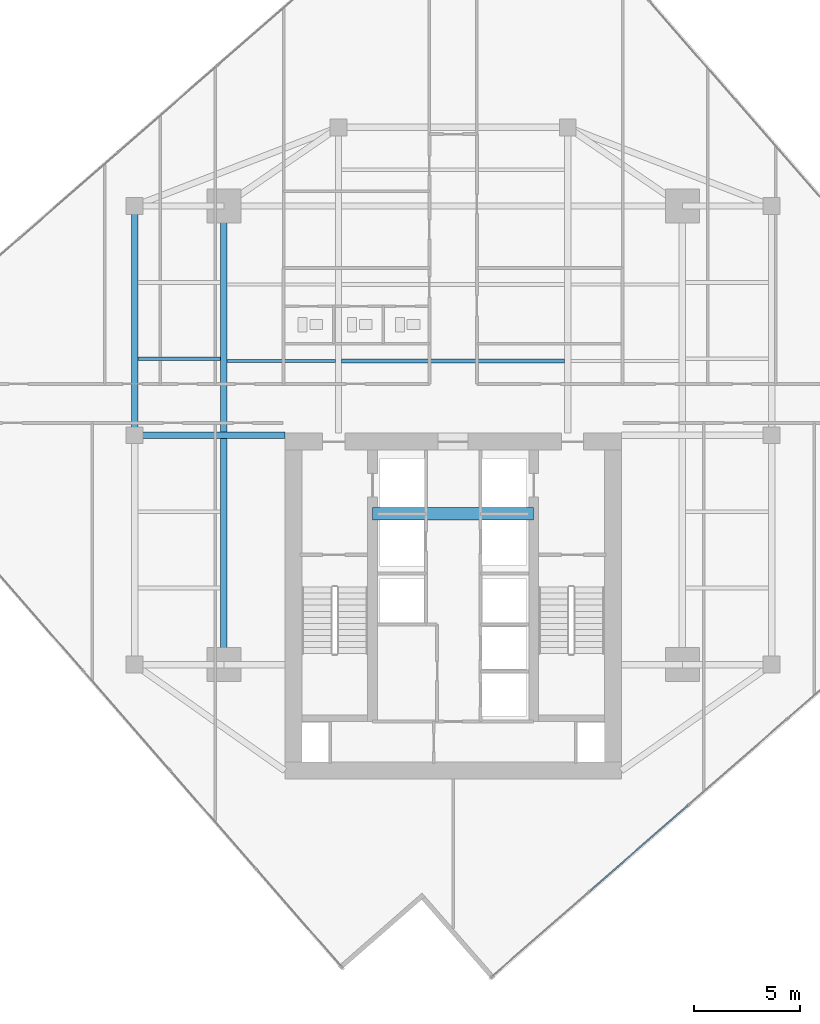
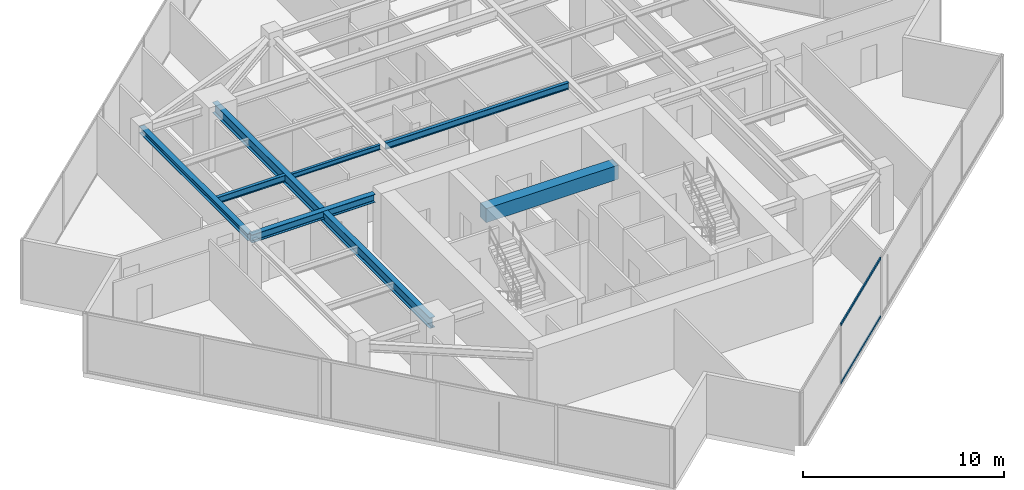
# One storey, part 8 of 24: 7 beams, 2 members, 1 element without a shape of its own.
"""IFC4 building model written with IfcOpenShell, lengths in metres."""

import ifcopenshell
import ifcopenshell.guid

model = None  # the IFC model being written
_history = None  # IfcOwnerHistory: only IFC2X3 demands one
_inside = {}  # id of a spatial element -> (the spatial element, [elements in it])
_under = {}  # id of a project, library or spatial element -> (it, [spatial elements below it])
_declared = {}  # id of a project -> (the project, [libraries it declares])
_typed = {}  # id of a type object -> (the type object, [elements of that type])
_made_of = {}  # id of a material, layer set ... -> (it, [elements and type objects made of it])


def new_model(schema):
    """Start an empty IFC model of exactly this schema.

    Asked for "IFC4X3", IfcOpenShell would pick the latest addendum, in which some entities
    have other attributes; the version numbers below select the first issue.
    IFC2X3 requires an IfcOwnerHistory on every rooted entity: one is made here for all.
    """
    global model, _history
    if schema == "IFC4X3":
        model = ifcopenshell.file(schema_version=(4, 3, 0, 0))
    else:
        model = ifcopenshell.file(schema=schema)
    _inside.clear()
    _under.clear()
    _declared.clear()
    _typed.clear()
    _made_of.clear()
    _history = None
    if model.schema == "IFC2X3":
        org = make("IfcOrganization", Name="unknown")
        user = make(
            "IfcPersonAndOrganization",
            ThePerson=make("IfcPerson", FamilyName="unknown"),
            TheOrganization=org,
        )
        app = make(
            "IfcApplication",
            ApplicationDeveloper=org,
            Version="unknown",
            ApplicationFullName="unknown",
            ApplicationIdentifier="unknown",
        )
        _history = make(
            "IfcOwnerHistory",
            OwningUser=user,
            OwningApplication=app,
            ChangeAction="ADDED",
            CreationDate=0,
        )
    return model


def make(cls, **values):
    """One entity of the class cls with the attributes given. An attribute that is None is left unset."""
    return model.create_entity(
        cls, **{name: value for name, value in values.items() if value is not None}
    )


def rooted(cls, **values):
    """An entity with a GlobalId (a new one), such as an element, a storey or a relation."""
    return make(cls, GlobalId=ifcopenshell.guid.new(), OwnerHistory=_history, **values)


def si_unit(unit_type, name, prefix=None):
    """IfcSIUnit, for example si_unit("LENGTHUNIT", "METRE", prefix="MILLI")."""
    return make("IfcSIUnit", UnitType=unit_type, Prefix=prefix, Name=name)


def assignment(units):
    """IfcUnitAssignment: the units of a project."""
    return None if units is None else make("IfcUnitAssignment", Units=units)


def point(xyz):
    """IfcCartesianPoint."""
    return None if xyz is None else make("IfcCartesianPoint", Coordinates=xyz)


def direction(xyz):
    """IfcDirection."""
    return None if xyz is None else make("IfcDirection", DirectionRatios=xyz)


def frame(location, z_axis=None, x_axis=None):
    """IfcAxis2Placement3D, a coordinate frame: its origin and axes. An axis left out is left unset."""
    return make(
        "IfcAxis2Placement3D",
        Location=point(location),
        Axis=direction(z_axis),
        RefDirection=direction(x_axis),
    )


def frame_2d(location, x_axis=None):
    """IfcAxis2Placement2D, a coordinate frame in the plane: its origin and x axis."""
    return make(
        "IfcAxis2Placement2D", Location=point(location), RefDirection=direction(x_axis)
    )


def origin():
    """The frame at (0, 0, 0) with its axes left unset."""
    return frame((0.0, 0.0, 0.0))


def origin_2d():
    """The frame at (0, 0) in the plane with its x axis left unset."""
    return frame_2d((0.0, 0.0))


def place(relative_to, where):
    """IfcLocalPlacement: puts the frame where relative to a parent placement (None: the world)."""
    return make(
        "IfcLocalPlacement", PlacementRelTo=relative_to, RelativePlacement=where
    )


def context(
    kind, dimensions, precision=None, world=None, true_north=None, identifier=None
):
    """IfcGeometricRepresentationContext, for example the 3D "Model" context."""
    return make(
        "IfcGeometricRepresentationContext",
        ContextIdentifier=identifier,
        ContextType=kind,
        CoordinateSpaceDimension=dimensions,
        Precision=precision,
        WorldCoordinateSystem=world,
        TrueNorth=true_north,
    )


def subcontext(parent, identifier, kind, view, scale=None):
    """IfcGeometricRepresentationSubContext, for example "Body" below "Model"."""
    return make(
        "IfcGeometricRepresentationSubContext",
        ContextIdentifier=identifier,
        ContextType=kind,
        ParentContext=parent,
        TargetScale=scale,
        TargetView=view,
    )


def project(units=None, contexts=None):
    """IfcProject with its units and contexts."""
    return rooted(
        "IfcProject",
        Name="project",
        RepresentationContexts=contexts,
        UnitsInContext=assignment(units),
    )


def spatial(cls, under=None, at=None, **own):
    """A site, building, storey or space (cls), placed at a placement, below another one or the project."""
    s = rooted(cls, ObjectPlacement=at, **own)
    if under is not None:
        _under.setdefault(under.id(), (under, []))[1].append(s)
    return s


def profile(cls, at=None, kind="AREA", **sizes):
    """A parametric profile (cls). Its sizes go by their IFC names, for example OverallWidth=200.0."""
    return make(cls, ProfileType=kind, Position=at, **sizes)


def rectangle(**sizes):
    """IfcRectangleProfileDef."""
    return profile("IfcRectangleProfileDef", **sizes)


def hollow_rectangle(**sizes):
    """IfcRectangleHollowProfileDef."""
    return profile("IfcRectangleHollowProfileDef", **sizes)


def i_section(**sizes):
    """IfcIShapeProfileDef."""
    return profile("IfcIShapeProfileDef", **sizes)


def extrude(swept, where, along, depth):
    """IfcExtrudedAreaSolid: the profile swept, set in the frame where, extruded along a direction by depth."""
    return make(
        "IfcExtrudedAreaSolid",
        SweptArea=swept,
        Position=where,
        ExtrudedDirection=direction(along),
        Depth=depth,
    )


def shape(context_of_items, identifier, shape_type, items):
    """IfcShapeRepresentation: the items that make up one representation, for example the "Body"."""
    return make(
        "IfcShapeRepresentation",
        ContextOfItems=context_of_items,
        RepresentationIdentifier=identifier,
        RepresentationType=shape_type,
        Items=items,
    )


def source(mapping_origin, context_of_items, identifier, shape_type, items):
    """IfcRepresentationMap: a shape defined once, which mapped items show again and again."""
    return make(
        "IfcRepresentationMap",
        MappingOrigin=mapping_origin,
        MappedRepresentation=shape(context_of_items, identifier, shape_type, items),
    )


def transform(
    local_origin,
    x_axis=None,
    y_axis=None,
    z_axis=None,
    scale=None,
    scale2=None,
    scale3=None,
    uniform=True,
):
    """IfcCartesianTransformationOperator3D, or its non-uniform kind. x_axis, y_axis, z_axis: its Axis1, 2, 3."""
    if uniform:
        return make(
            "IfcCartesianTransformationOperator3D",
            Axis1=direction(x_axis),
            Axis2=direction(y_axis),
            LocalOrigin=point(local_origin),
            Scale=scale,
            Axis3=direction(z_axis),
        )
    return make(
        "IfcCartesianTransformationOperator3DnonUniform",
        Axis1=direction(x_axis),
        Axis2=direction(y_axis),
        LocalOrigin=point(local_origin),
        Scale=scale,
        Axis3=direction(z_axis),
        Scale2=scale2,
        Scale3=scale3,
    )


def mapped(mapping_source, mapping_target):
    """IfcMappedItem: shows the shape of a source again, moved by a transform."""
    return make(
        "IfcMappedItem", MappingSource=mapping_source, MappingTarget=mapping_target
    )


def material(Name=None, Category=None):
    """IfcMaterial."""
    return make("IfcMaterial", Name=Name, Category=Category)


def material_profile(
    of_material, cross_section, Name=None, Category=None, Priority=None
):
    """IfcMaterialProfile: a cross section and its material."""
    return make(
        "IfcMaterialProfile",
        Name=Name,
        Material=of_material,
        Profile=cross_section,
        Priority=Priority,
        Category=Category,
    )


def profile_set(profiles, Name=None, composite=None):
    """IfcMaterialProfileSet."""
    return make(
        "IfcMaterialProfileSet",
        Name=Name,
        MaterialProfiles=profiles,
        CompositeProfile=composite,
    )


def made_of(thing, what):
    """Note that an element or type object is made of a material, layer set ...; save() writes the relation."""
    if what is not None:
        _made_of.setdefault(what.id(), (what, []))[1].append(thing)
    return thing


def type_object(cls, material=None, **own):
    """A type object (cls), such as IfcWallType, which elements share."""
    return made_of(rooted(cls, **own), material)


def type_shapes(of_type, sources):
    """Give a type object the sources (RepresentationMaps) that its elements show as mapped items."""
    of_type.RepresentationMaps = sources


def element(
    cls,
    number,
    at=None,
    inside=None,
    cuts=None,
    type_object=None,
    material=None,
    context=None,
    identifier="Body",
    shape_type=None,
    held_by="IfcProductDefinitionShape",
    body=None,
    shapes=None,
    **own,
):
    """One element of the class cls, such as IfcWall. Its Tag is "e" and its number.

    at: its placement. inside: the storey or other place that contains it. cuts: it is an
    opening in that element (IfcRelVoidsElement). A single representation is given by context,
    identifier, shape_type and body (its items); several are given by shapes. held_by: the class
    of the entity that holds the representations. save() writes the other relations.
    """
    e = rooted(cls, Tag="e%d" % number, ObjectPlacement=at, **own)
    if body is not None:
        shapes = [shape(context, identifier, shape_type, body)]
    if shapes is not None:
        e.Representation = make(held_by, Representations=shapes)
    if inside is not None:
        _inside.setdefault(inside.id(), (inside, []))[1].append(e)
    if cuts is not None:
        rooted(
            "IfcRelVoidsElement", RelatingBuildingElement=cuts, RelatedOpeningElement=e
        )
    if type_object is not None:
        _typed.setdefault(type_object.id(), (type_object, []))[1].append(e)
    return made_of(e, material)


def aggregate(whole, parts):
    """IfcRelAggregates: a whole, such as a stair, and the parts it consists of."""
    return rooted("IfcRelAggregates", RelatingObject=whole, RelatedObjects=parts)


def save(model, path):
    """Write the relations noted so far, then the file.

    IfcRelAggregates (storeys below a building ...), IfcRelContainedInSpatialStructure (elements
    in a storey), IfcRelDefinesByType, IfcRelAssociatesMaterial and IfcRelDeclares: one each for
    every whole, place, type object, material and project.
    """
    for whole, parts in _under.values():
        aggregate(whole, parts)
    for where, things in _inside.values():
        rooted(
            "IfcRelContainedInSpatialStructure",
            RelatedElements=things,
            RelatingStructure=where,
        )
    for kind, things in _typed.values():
        rooted("IfcRelDefinesByType", RelatedObjects=things, RelatingType=kind)
    for what, things in _made_of.values():
        rooted("IfcRelAssociatesMaterial", RelatedObjects=things, RelatingMaterial=what)
    for by, libraries in _declared.values():
        rooted("IfcRelDeclares", RelatingContext=by, RelatedDefinitions=libraries)
    model.write(path)


model = new_model("IFC4")

# Units and contexts
model_context = context("Model", 3, precision=1e-05, world=origin(), true_north=direction((0.0, 1.0)))
body_context = subcontext(model_context, "Body", "Model", "MODEL_VIEW")
ifc_project = project(units=[si_unit("LENGTHUNIT", "METRE"), si_unit("AREAUNIT", "SQUARE_METRE"), si_unit("VOLUMEUNIT", "CUBIC_METRE"), si_unit("PLANEANGLEUNIT", "RADIAN"), si_unit("MASSUNIT", "GRAM", prefix="KILO")], contexts=[model_context])

# Site, building, storey
site_placement = place(None, origin())
site = spatial("IfcSite", under=ifc_project, at=site_placement, CompositionType="ELEMENT")
building_placement = place(site_placement, origin())
building = spatial("IfcBuilding", under=site, at=building_placement, Name="Krantzveldt Concourse Tower", CompositionType="ELEMENT")
storey_placement = place(building_placement, frame((0.0, 0.0, 258.64990234375)))
storey = spatial("IfcBuildingStorey", under=building, at=storey_placement, Name="L63", CompositionType="ELEMENT", Elevation=258.64990234375)

# Beams
ifc_material_1 = material(Name="Steel S355JR", Category="steel")
ifc_material_profile_1 = material_profile(ifc_material_1, i_section(OverallWidth=0.300048828125, OverallDepth=0.639892578125, WebThickness=0.013427734375, FlangeThickness=0.02587890625, FilletRadius=0.027099609375, at=origin_2d()), Name="Steel S355JR", Category="steel")
ifc_profile_set_1 = profile_set([ifc_material_profile_1], Name="Steel S355JR - HEA 650")
beam_type_1 = type_object("IfcBeamType", Name="BM-B-HEA650", PredefinedType="BEAM", material=ifc_profile_set_1)
shared_shape_1 = source(origin(), body_context, "Body", "SweptSolid", [
    extrude(i_section(OverallWidth=0.300048828125, OverallDepth=0.639892578125, WebThickness=0.013427734375, FlangeThickness=0.02587890625, FilletRadius=0.027099609375, at=origin_2d()), origin(), (0.0, 0.0, 1.0), 21.60009765625),
])
type_shapes(beam_type_1, [shared_shape_1])
beam_1_placement = place(storey_placement, frame((25.199951171875, 15.89990234375, 3.280029296875), z_axis=(0.0, 1.0, 0.0), x_axis=(-1.0, 0.0, 0.0)))
element("IfcBeam", 1, at=beam_1_placement, inside=storey, type_object=beam_type_1, Name="L63 Tower Girder BG-MW", PredefinedType="BEAM", context=body_context, shape_type="MappedRepresentation", body=[
    mapped(shared_shape_1, transform((0.0, 0.0, 0.0), x_axis=(1.0, 0.0, 0.0), y_axis=(0.0, 1.0, 0.0), z_axis=(0.0, 0.0, 1.0), scale=1.0)),
])
ifc_material_profile_2 = material_profile(ifc_material_1, i_section(OverallWidth=0.179931640625, OverallDepth=0.39990234375, WebThickness=0.008544921875, FlangeThickness=0.013427734375, FilletRadius=0.02099609375, at=origin_2d()), Name="Steel S355JR", Category="steel")
ifc_profile_set_2 = profile_set([ifc_material_profile_2], Name="Steel S355JR - IPE 400")
beam_type_2 = type_object("IfcBeamType", Name="BM-J-IPE400", PredefinedType="JOIST", material=ifc_profile_set_2)
shared_shape_2 = source(origin(), body_context, "Body", "SweptSolid", [
    extrude(i_section(OverallWidth=0.179931640625, OverallDepth=0.39990234375, WebThickness=0.008544921875, FlangeThickness=0.013427734375, FilletRadius=0.02099609375, at=origin_2d()), origin(), (0.0, 0.0, 1.0), 10.5),
])
beam_2_placement = place(storey_placement, frame((30.75, 30.199951171875, 3.400146484375), z_axis=(1.0, 0.0, 0.0), x_axis=(0.0, 1.0, 0.0)))
element("IfcBeam", 2, at=beam_2_placement, inside=storey, type_object=beam_type_2, Name="L63 Secondary Floor Joist JN-C1", PredefinedType="JOIST", context=body_context, shape_type="MappedRepresentation", body=[
    mapped(shared_shape_2, transform((0.0, 0.0, 0.0), x_axis=(1.0, 0.0, 0.0), y_axis=(0.0, 1.0, 0.0), z_axis=(0.0, 0.0, 1.0), scale=1.0)),
])
ifc_material_profile_3 = material_profile(ifc_material_1, i_section(OverallWidth=0.300048828125, OverallDepth=0.389892578125, WebThickness=0.010986328125, FlangeThickness=0.01904296875, FilletRadius=0.027099609375, at=origin_2d()), Name="Steel S355JR", Category="steel")
ifc_profile_set_3 = profile_set([ifc_material_profile_3], Name="Steel S355JR - HEA 400")
beam_type_3 = type_object("IfcBeamType", Name="BM-SP-HEA400", PredefinedType="SPANDREL", material=ifc_profile_set_3)
shared_shape_3 = source(origin(), body_context, "Body", "SweptSolid", [
    extrude(i_section(OverallWidth=0.300048828125, OverallDepth=0.389892578125, WebThickness=0.010986328125, FlangeThickness=0.01904296875, FilletRadius=0.027099609375, at=origin_2d()), origin(), (0.0, 0.0, 1.0), 10.800048828125),
])
type_shapes(beam_type_3, [shared_shape_3])
beam_3_placement = place(storey_placement, frame((21.0, 26.699951171875, 3.405029296875), z_axis=(0.0, 1.0, 0.0), x_axis=(-1.0, 0.0, 0.0)))
element("IfcBeam", 3, at=beam_3_placement, inside=storey, type_object=beam_type_3, Name="L63 Tower Girder SP-R02", PredefinedType="SPANDREL", context=body_context, shape_type="MappedRepresentation", body=[
    mapped(shared_shape_3, transform((0.0, 0.0, 0.0), x_axis=(1.0, 0.0, 0.0), y_axis=(0.0, 1.0, 0.0), z_axis=(0.0, 0.0, 1.0), scale=1.0)),
])
ifc_material_profile_4 = material_profile(ifc_material_1, i_section(OverallWidth=0.300048828125, OverallDepth=0.489990234375, WebThickness=0.011962890625, FlangeThickness=0.02294921875, FilletRadius=0.027099609375, at=origin_2d()), Name="Steel S355JR", Category="steel")
ifc_profile_set_4 = profile_set([ifc_material_profile_4], Name="Steel S355JR - HEA 500")
beam_type_4 = type_object("IfcBeamType", Name="BM-B-HEA500", PredefinedType="BEAM", material=ifc_profile_set_4)
shared_shape_4 = source(origin(), body_context, "Body", "SweptSolid", [
    extrude(i_section(OverallWidth=0.300048828125, OverallDepth=0.489990234375, WebThickness=0.011962890625, FlangeThickness=0.02294921875, FilletRadius=0.027099609375, at=origin_2d()), origin(), (0.0, 0.0, 1.0), 7.080078125),
])
type_shapes(beam_type_4, [shared_shape_4])
beam_4_placement = place(storey_placement, frame((21.0, 26.699951171875, 3.35498046875), z_axis=(1.0, 0.0, 0.0), x_axis=(0.0, 1.0, 0.0)))
element("IfcBeam", 4, at=beam_4_placement, inside=storey, type_object=beam_type_4, Name="L63 Tower Girder BG-CW2", PredefinedType="BEAM", context=body_context, shape_type="MappedRepresentation", body=[
    mapped(shared_shape_4, transform((0.0, 0.0, 0.0), x_axis=(1.0, 0.0, 0.0), y_axis=(0.0, 1.0, 0.0), z_axis=(0.0, 0.0, 1.0), scale=1.0)),
])
ifc_material_profile_5 = material_profile(ifc_material_1, i_section(OverallWidth=0.14990234375, OverallDepth=0.300048828125, WebThickness=0.007080078125, FlangeThickness=0.0107421875, FilletRadius=0.014892578125, at=origin_2d()), Name="Steel S355JR", Category="steel")
ifc_profile_set_5 = profile_set([ifc_material_profile_5], Name="Steel S355JR - IPE 300")
beam_type_5 = type_object("IfcBeamType", Name="BM-J-IPE300", PredefinedType="JOIST", material=ifc_profile_set_5)
shared_shape_5 = source(origin(), body_context, "Body", "SweptSolid", [
    extrude(i_section(OverallWidth=0.14990234375, OverallDepth=0.300048828125, WebThickness=0.007080078125, FlangeThickness=0.0107421875, FilletRadius=0.014892578125, at=origin_2d()), origin(), (0.0, 0.0, 1.0), 5.099853515625),
])
type_shapes(beam_type_5, [shared_shape_5])
beam_5_placement = place(storey_placement, frame((25.35009765625, 30.199951171875, 3.4501953125), z_axis=(1.0, 0.0, 0.0), x_axis=(0.0, 1.0, 0.0)))
element("IfcBeam", 5, at=beam_5_placement, inside=storey, type_object=beam_type_5, Name="L63 Secondary Floor Joist JN-W1", PredefinedType="JOIST", context=body_context, shape_type="MappedRepresentation", body=[
    mapped(shared_shape_5, transform((0.0, 0.0, 0.0), x_axis=(1.0, 0.0, 0.0), y_axis=(0.0, 1.0, 0.0), z_axis=(0.0, 0.0, 1.0), scale=1.0)),
])
shared_shape_6 = source(origin(), body_context, "Body", "SweptSolid", [
    extrude(i_section(OverallWidth=0.179931640625, OverallDepth=0.39990234375, WebThickness=0.008544921875, FlangeThickness=0.013427734375, FilletRadius=0.02099609375, at=origin_2d()), origin(), (0.0, 0.0, 1.0), 3.900146484375),
])
type_shapes(beam_type_2, [shared_shape_2, shared_shape_6])
beam_6_placement = place(storey_placement, frame((21.14990234375, 30.300048828125, 3.400146484375), z_axis=(1.0, 0.0, 0.0), x_axis=(0.0, 1.0, 0.0)))
element("IfcBeam", 6, at=beam_6_placement, inside=storey, type_object=beam_type_2, Name="L63 Secondary Floor Joist JW-3", PredefinedType="JOIST", context=body_context, shape_type="MappedRepresentation", body=[
    mapped(shared_shape_6, transform((0.0, 0.0, 0.0), x_axis=(1.0, 0.0, 0.0), y_axis=(0.0, 1.0, 0.0), z_axis=(0.0, 0.0, 1.0), scale=1.0)),
])
ifc_material_2 = material(Name="Concrete C50/60", Category="concrete")
ifc_material_profile_6 = material_profile(ifc_material_2, rectangle(XDim=0.60009765625, YDim=0.85009765625, at=origin_2d()), Name="Concrete C50/60", Category="concrete")
ifc_profile_set_6 = profile_set([ifc_material_profile_6], Name="Concrete C50/60 - RC-CB 600x850")
beam_type_6 = type_object("IfcBeamType", Name="BM-CB-850", PredefinedType="LINTEL", material=ifc_profile_set_6)
shared_shape_7 = source(origin(), body_context, "Body", "SweptSolid", [
    extrude(rectangle(XDim=0.60009765625, YDim=0.85009765625, at=origin_2d()), origin(), (0.0, 0.0, 1.0), 7.580078125),
])
type_shapes(beam_type_6, [shared_shape_7])
beam_7_placement = place(storey_placement, frame((32.2099609375, 23.0, 3.175048828125), z_axis=(1.0, 0.0, 0.0), x_axis=(0.0, 1.0, 0.0)))
element("IfcBeam", 7, at=beam_7_placement, inside=storey, type_object=beam_type_6, Name="CB-L63-01", PredefinedType="LINTEL", context=body_context, shape_type="MappedRepresentation", body=[
    mapped(shared_shape_7, transform((0.0, 0.0, 0.0), x_axis=(1.0, 0.0, 0.0), y_axis=(0.0, 1.0, 0.0), z_axis=(0.0, 0.0, 1.0), scale=1.0)),
])

# Curtain wall, members
ifc_material_3 = material(Name="Anodised aluminium 6063-T6", Category="aluminium")
curtain_wall_type = type_object("IfcCurtainWallType", Name="CW3", PredefinedType="USERDEFINED", material=ifc_material_3)
curtain_wall_placement = place(storey_placement, origin())
curtain_wall = element("IfcCurtainWall", 8, at=curtain_wall_placement, inside=storey, type_object=curtain_wall_type, Name="CW-L63-F07", ObjectType="UNITISED CURTAIN WALL", PredefinedType="USERDEFINED")
ifc_material_profile_7 = material_profile(ifc_material_3, hollow_rectangle(XDim=0.070068359375, YDim=0.139892578125, WallThickness=0.0048828125, at=origin_2d()), Name="Anodised aluminium 6063-T6", Category="aluminium")
ifc_profile_set_7 = profile_set([ifc_material_profile_7], Name="Anodised aluminium 6063-T6 - ALU-TRAN 140x70x5")
member_type = type_object("IfcMemberType", Name="CW-TRN-150", PredefinedType="USERDEFINED", material=ifc_profile_set_7)
shared_shape_8 = source(origin(), body_context, "Body", "SweptSolid", [
    extrude(hollow_rectangle(XDim=0.070068359375, YDim=0.139892578125, WallThickness=0.0048828125, at=origin_2d()), origin(), (0.0, 0.0, 1.0), 6.130126953125),
])
type_shapes(member_type, [shared_shape_8])
member_1_placement = place(storey_placement, frame((42.444580078125, 5.23193359375, 0.03515625), z_axis=(0.753281864593, 0.657697827635, 0.0), x_axis=(-0.657697827635, 0.753281864593, 0.0)))
member_1 = element("IfcMember", 9, at=member_1_placement, type_object=member_type, Name="CW-Z34 transom 2.1", ObjectType="TRANSOM", PredefinedType="USERDEFINED", context=body_context, shape_type="MappedRepresentation", body=[
    mapped(shared_shape_8, transform((0.0, 0.0, 0.0), x_axis=(1.0, 0.0, 0.0), y_axis=(0.0, 1.0, 0.0), z_axis=(0.0, 0.0, 1.0), scale=1.0)),
])
member_2_placement = place(storey_placement, frame((42.444580078125, 5.23193359375, 3.565185546875), z_axis=(0.753281864593, 0.657697827635, 0.0), x_axis=(-0.657697827635, 0.753281864593, 0.0)))
member_2 = element("IfcMember", 10, at=member_2_placement, type_object=member_type, Name="CW-Z34 transom 2.2", ObjectType="TRANSOM", PredefinedType="USERDEFINED", context=body_context, shape_type="MappedRepresentation", body=[
    mapped(shared_shape_8, transform((0.0, 0.0, 0.0), x_axis=(1.0, 0.0, 0.0), y_axis=(0.0, 1.0, 0.0), z_axis=(0.0, 0.0, 1.0), scale=1.0)),
])
aggregate(curtain_wall, [member_1, member_2])

save(model, "model.ifc")
